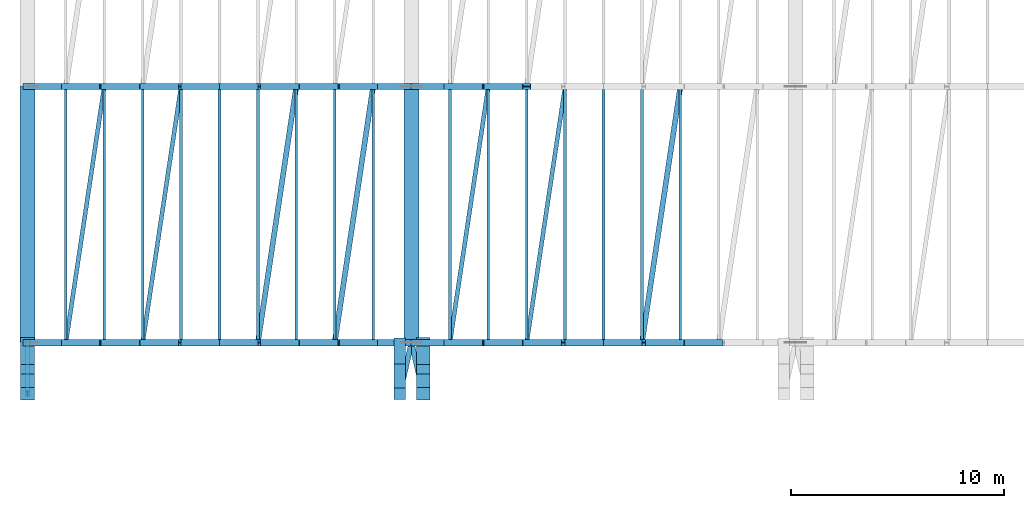
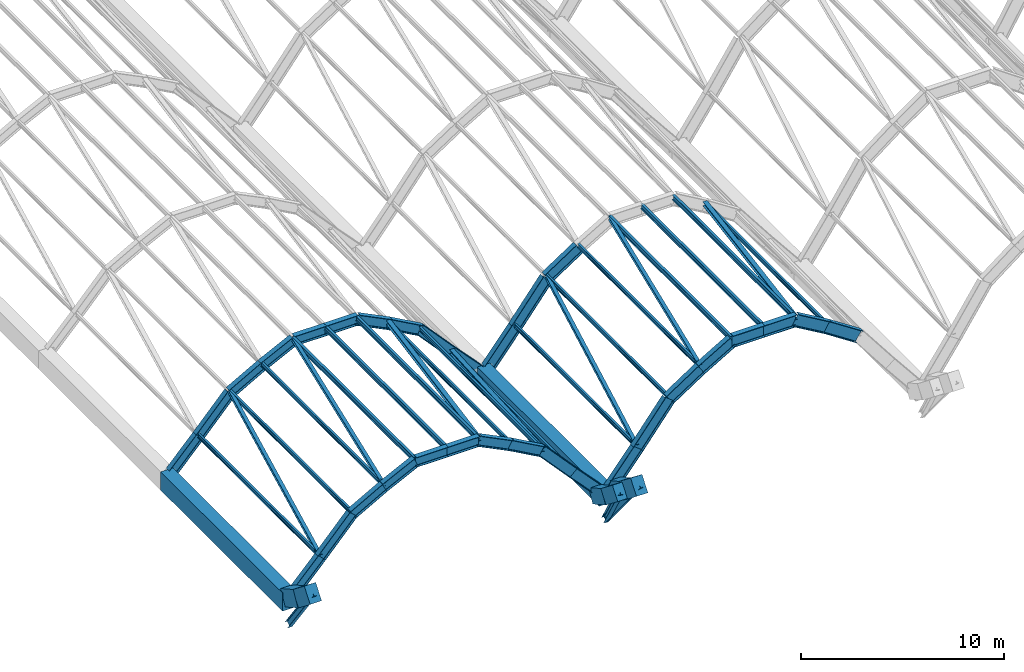
# One storey, part 7 of 86: 39 beams, 26 members.
"""IFC4 building model written with IfcOpenShell, lengths in metres."""

from ifc_helpers import new_model, si_unit, direction, frame, origin, origin_2d, place, context, subcontext, project, spatial, rectangle, i_section, extrude, material, material_profile, profile_set, type_object, element, save


model = new_model("IFC4")

# Units and contexts
model_context = context("Model", 3, precision=1e-05, world=origin(), true_north=direction((0.0, 1.0)))
body_context = subcontext(model_context, "Body", "Model", "MODEL_VIEW")
ifc_project = project(units=[si_unit("LENGTHUNIT", "METRE"), si_unit("AREAUNIT", "SQUARE_METRE"), si_unit("VOLUMEUNIT", "CUBIC_METRE"), si_unit("PLANEANGLEUNIT", "RADIAN"), si_unit("MASSUNIT", "GRAM", prefix="KILO")], contexts=[model_context])

# Site, building, storey
site_placement = place(None, origin())
site = spatial("IfcSite", under=ifc_project, at=site_placement, CompositionType="ELEMENT")
building_placement = place(site_placement, origin())
building = spatial("IfcBuilding", under=site, at=building_placement, Name="Chuanluo Vaults Station", CompositionType="ELEMENT")
storey_placement = place(building_placement, frame((0.0, 0.0, 14.39990234375)))
storey = spatial("IfcBuildingStorey", under=building, at=storey_placement, Name="L03", CompositionType="ELEMENT", Elevation=14.39990234375)

# Beams
ifc_material_1 = material(Name="Concrete C50", Category="concrete")
ifc_material_profile_1 = material_profile(ifc_material_1, rectangle(XDim=0.64990234375, YDim=0.949951171875, at=origin_2d()))
ifc_profile_set_1 = profile_set([ifc_material_profile_1], Name="Concrete C50")
beam_type_1 = type_object("IfcBeamType", Name="BM-CUSP-RC1", PredefinedType="USERDEFINED", material=ifc_profile_set_1)
beam_1_placement = place(storey_placement, frame((0.0, 18.0, -0.5498046875), z_axis=(0.0, -0.872520545396, 0.488577422588), x_axis=(1.0, 0.0, 0.0)))
element("IfcBeam", 1, at=beam_1_placement, inside=storey, type_object=beam_type_1, Name="Vault V1 upturned cusp rib S-W chord 1", ObjectType="GIRDER", PredefinedType="USERDEFINED", context=body_context, shape_type="SweptSolid", body=[
    extrude(rectangle(XDim=0.64990234375, YDim=0.949951171875, at=origin_2d()), origin(), (0.0, 0.0, 1.0), 1.4326171875),
])
beam_2_placement = place(storey_placement, frame((0.0, 16.75, 0.150146484375), z_axis=(0.0, -0.787512057463, 0.61629924497), x_axis=(1.0, 0.0, 0.0)))
element("IfcBeam", 2, at=beam_2_placement, inside=storey, type_object=beam_type_1, Name="Vault V1 upturned cusp rib S-W chord 2", ObjectType="GIRDER", PredefinedType="USERDEFINED", context=body_context, shape_type="SweptSolid", body=[
    extrude(rectangle(XDim=0.64990234375, YDim=0.949951171875, at=origin_2d()), origin(), (0.0, 0.0, 1.0), 1.460205078125),
])
beam_3_placement = place(storey_placement, frame((18.550048828125, 18.0, -0.5498046875), z_axis=(0.0, -0.872520545396, 0.488577422588), x_axis=(1.0, 0.0, 0.0)))
element("IfcBeam", 3, at=beam_3_placement, inside=storey, type_object=beam_type_1, Name="Vault V2 upturned cusp rib S-W chord 1", ObjectType="GIRDER", PredefinedType="USERDEFINED", context=body_context, shape_type="SweptSolid", body=[
    extrude(rectangle(XDim=0.64990234375, YDim=0.949951171875, at=origin_2d()), origin(), (0.0, 0.0, 1.0), 1.4326171875),
])
beam_4_placement = place(storey_placement, frame((18.550048828125, 16.75, 0.150146484375), z_axis=(0.0, -0.787512057463, 0.61629924497), x_axis=(1.0, 0.0, 0.0)))
element("IfcBeam", 4, at=beam_4_placement, inside=storey, type_object=beam_type_1, Name="Vault V2 upturned cusp rib S-W chord 2", ObjectType="GIRDER", PredefinedType="USERDEFINED", context=body_context, shape_type="SweptSolid", body=[
    extrude(rectangle(XDim=0.64990234375, YDim=0.949951171875, at=origin_2d()), origin(), (0.0, 0.0, 1.0), 1.460205078125),
])
ifc_material_2 = material(Name="Concrete C50", Category="concrete")
ifc_material_profile_2 = material_profile(ifc_material_2, rectangle(XDim=0.550048828125, YDim=0.85009765625, at=origin_2d()))
ifc_profile_set_2 = profile_set([ifc_material_profile_2], Name="Concrete C50")
beam_type_2 = type_object("IfcBeamType", Name="BM-CUSP-RC2", PredefinedType="USERDEFINED", material=ifc_profile_set_2)
beam_5_placement = place(storey_placement, frame((17.449951171875, 18.0, -0.5498046875), z_axis=(0.0, -0.872520545396, 0.488577422588), x_axis=(1.0, 0.0, 0.0)))
element("IfcBeam", 5, at=beam_5_placement, inside=storey, type_object=beam_type_2, Name="Vault V1 upturned cusp rib S-E chord 1", ObjectType="GIRDER", PredefinedType="USERDEFINED", context=body_context, shape_type="SweptSolid", body=[
    extrude(rectangle(XDim=0.550048828125, YDim=0.85009765625, at=origin_2d()), origin(), (0.0, 0.0, 1.0), 1.4326171875),
])
beam_6_placement = place(storey_placement, frame((17.449951171875, 16.75, 0.150146484375), z_axis=(0.0, -0.787512057463, 0.61629924497), x_axis=(1.0, 0.0, 0.0)))
element("IfcBeam", 6, at=beam_6_placement, inside=storey, type_object=beam_type_2, Name="Vault V1 upturned cusp rib S-E chord 2", ObjectType="GIRDER", PredefinedType="USERDEFINED", context=body_context, shape_type="SweptSolid", body=[
    extrude(rectangle(XDim=0.550048828125, YDim=0.85009765625, at=origin_2d()), origin(), (0.0, 0.0, 1.0), 1.460205078125),
])
ifc_material_3 = material(Name="Concrete C50", Category="concrete")
ifc_material_profile_3 = material_profile(ifc_material_3, rectangle(XDim=0.699951171875, YDim=1.10009765625, at=origin_2d()))
ifc_profile_set_3 = profile_set([ifc_material_profile_3], Name="Concrete C50")
beam_type_3 = type_object("IfcBeamType", Name="BM-VAL-RC", PredefinedType="USERDEFINED", material=ifc_profile_set_3)
for number, where, z_axis, x_axis, name in (
    (7, (0.0, 18.0, -0.7998046875), (0.0, 1.0, 0.0), (-1.0, 0.0, 0.0), "Vault springing valley beam X0-1"),
    (8, (18.0, 18.0, -0.7998046875), (0.0, 1.0, 0.0), (-1.0, 0.0, 0.0), "Vault springing valley beam X18-1"),
):
    element("IfcBeam", number, at=place(storey_placement, frame(where, z_axis=z_axis, x_axis=x_axis)), inside=storey, type_object=beam_type_3, Name=name, ObjectType="GIRDER", PredefinedType="USERDEFINED", context=body_context, shape_type="SweptSolid", body=[
        extrude(rectangle(XDim=0.699951171875, YDim=1.10009765625, at=origin_2d()), origin(), (0.0, 0.0, 1.0), 12.0),
    ])
ifc_material_4 = material(Name="Steel Q355C", Category="steel")
ifc_material_profile_4 = material_profile(ifc_material_4, i_section(OverallWidth=0.300048828125, OverallDepth=0.587890625, WebThickness=0.011962890625, FlangeThickness=0.02001953125, FilletRadius=0.02392578125, at=origin_2d()))
ifc_profile_set_4 = profile_set([ifc_material_profile_4], Name="Steel Q355C")
beam_type_4 = type_object("IfcBeamType", Name="BM-VLT-600", PredefinedType="USERDEFINED", material=ifc_profile_set_4)
beam_7_placement = place(storey_placement, frame((0.0, 18.0, -0.743896484375), z_axis=(0.684521510403, 0.0, 0.728992662374), x_axis=(0.0, 1.0, 0.0)))
element("IfcBeam", 9, at=beam_7_placement, inside=storey, type_object=beam_type_4, Name="Vault V1 arch rib 1 chord 1", ObjectType="GIRDER", PredefinedType="USERDEFINED", context=body_context, shape_type="SweptSolid", body=[
    extrude(i_section(OverallWidth=0.300048828125, OverallDepth=0.587890625, WebThickness=0.011962890625, FlangeThickness=0.02001953125, FilletRadius=0.02392578125, at=origin_2d()), origin(), (0.0, 0.0, 1.0), 2.629638671875),
])
beam_8_placement = place(storey_placement, frame((1.800048828125, 18.0, 1.173095703125), z_axis=(0.674369120381, 0.0, 0.738394399679), x_axis=(0.0, 1.0, 0.0)))
element("IfcBeam", 10, at=beam_8_placement, inside=storey, type_object=beam_type_4, Name="Vault V1 arch rib 1 chord 2", ObjectType="GIRDER", PredefinedType="USERDEFINED", context=body_context, shape_type="SweptSolid", body=[
    extrude(i_section(OverallWidth=0.300048828125, OverallDepth=0.587890625, WebThickness=0.011962890625, FlangeThickness=0.02001953125, FilletRadius=0.02392578125, at=origin_2d()), origin(), (0.0, 0.0, 1.0), 2.669189453125),
])
beam_9_placement = place(storey_placement, frame((3.60009765625, 18.0, 3.14404296875), z_axis=(0.873681685546, 0.0, 0.486498008569), x_axis=(0.0, 1.0, 0.0)))
element("IfcBeam", 11, at=beam_9_placement, inside=storey, type_object=beam_type_4, Name="Vault V1 arch rib 1 chord 3", ObjectType="GIRDER", PredefinedType="USERDEFINED", context=body_context, shape_type="SweptSolid", body=[
    extrude(i_section(OverallWidth=0.300048828125, OverallDepth=0.587890625, WebThickness=0.011962890625, FlangeThickness=0.02001953125, FilletRadius=0.02392578125, at=origin_2d()), origin(), (0.0, 0.0, 1.0), 2.06005859375),
])
beam_10_placement = place(storey_placement, frame((5.39990234375, 18.0, 4.146240234375), z_axis=(0.896436371213, 0.0, 0.443172463457), x_axis=(0.0, 1.0, 0.0)))
element("IfcBeam", 12, at=beam_10_placement, inside=storey, type_object=beam_type_4, Name="Vault V1 arch rib 1 chord 4", ObjectType="GIRDER", PredefinedType="USERDEFINED", context=body_context, shape_type="SweptSolid", body=[
    extrude(i_section(OverallWidth=0.300048828125, OverallDepth=0.587890625, WebThickness=0.011962890625, FlangeThickness=0.02001953125, FilletRadius=0.02392578125, at=origin_2d()), origin(), (0.0, 0.0, 1.0), 2.008056640625),
])
for number, where, z_axis, x_axis, name in (
    (13, (7.199951171875, 18.0, 5.0361328125), (1.0, 0.0, 0.0), (0.0, 1.0, 0.0), "Vault V1 arch rib 1 chord 5"),
    (14, (9.0, 18.0, 5.0361328125), (1.0, 0.0, 0.0), (0.0, 1.0, 0.0), "Vault V1 arch rib 1 chord 6"),
):
    element("IfcBeam", number, at=place(storey_placement, frame(where, z_axis=z_axis, x_axis=x_axis)), inside=storey, type_object=beam_type_4, Name=name, ObjectType="GIRDER", PredefinedType="USERDEFINED", context=body_context, shape_type="SweptSolid", body=[
        extrude(i_section(OverallWidth=0.300048828125, OverallDepth=0.587890625, WebThickness=0.011962890625, FlangeThickness=0.02001953125, FilletRadius=0.02392578125, at=origin_2d()), origin(), (0.0, 0.0, 1.0), 1.800048828125),
    ])
beam_11_placement = place(storey_placement, frame((10.800048828125, 18.0, 5.0361328125), z_axis=(0.896436371213, 0.0, -0.443172463457), x_axis=(0.0, 1.0, 0.0)))
element("IfcBeam", 15, at=beam_11_placement, inside=storey, type_object=beam_type_4, Name="Vault V1 arch rib 1 chord 7", ObjectType="GIRDER", PredefinedType="USERDEFINED", context=body_context, shape_type="SweptSolid", body=[
    extrude(i_section(OverallWidth=0.300048828125, OverallDepth=0.587890625, WebThickness=0.011962890625, FlangeThickness=0.02001953125, FilletRadius=0.02392578125, at=origin_2d()), origin(), (0.0, 0.0, 1.0), 2.008056640625),
])
beam_12_placement = place(storey_placement, frame((12.60009765625, 18.0, 4.146240234375), z_axis=(0.873681685546, 0.0, -0.486498008569), x_axis=(0.0, 1.0, 0.0)))
element("IfcBeam", 16, at=beam_12_placement, inside=storey, type_object=beam_type_4, Name="Vault V1 arch rib 1 chord 8", ObjectType="GIRDER", PredefinedType="USERDEFINED", context=body_context, shape_type="SweptSolid", body=[
    extrude(i_section(OverallWidth=0.300048828125, OverallDepth=0.587890625, WebThickness=0.011962890625, FlangeThickness=0.02001953125, FilletRadius=0.02392578125, at=origin_2d()), origin(), (0.0, 0.0, 1.0), 2.06005859375),
])
beam_13_placement = place(storey_placement, frame((14.39990234375, 18.0, 3.14404296875), z_axis=(0.674369120381, 0.0, -0.738394399679), x_axis=(0.0, 1.0, 0.0)))
element("IfcBeam", 17, at=beam_13_placement, inside=storey, type_object=beam_type_4, Name="Vault V1 arch rib 1 chord 9", ObjectType="GIRDER", PredefinedType="USERDEFINED", context=body_context, shape_type="SweptSolid", body=[
    extrude(i_section(OverallWidth=0.300048828125, OverallDepth=0.587890625, WebThickness=0.011962890625, FlangeThickness=0.02001953125, FilletRadius=0.02392578125, at=origin_2d()), origin(), (0.0, 0.0, 1.0), 2.669189453125),
])
for number, where, z_axis, x_axis, name in (
    (18, (16.199951171875, 18.0, 1.173095703125), (0.684521510403, 0.0, -0.728992662374), (0.0, 1.0, 0.0), "Vault V1 arch rib 1 chord 10"),
    (19, (0.0, 30.0, -0.743896484375), (0.684521510403, 0.0, 0.728992662374), (0.0, 1.0, 0.0), "Vault V1 arch rib 2 chord 1"),
):
    element("IfcBeam", number, at=place(storey_placement, frame(where, z_axis=z_axis, x_axis=x_axis)), inside=storey, type_object=beam_type_4, Name=name, ObjectType="GIRDER", PredefinedType="USERDEFINED", context=body_context, shape_type="SweptSolid", body=[
        extrude(i_section(OverallWidth=0.300048828125, OverallDepth=0.587890625, WebThickness=0.011962890625, FlangeThickness=0.02001953125, FilletRadius=0.02392578125, at=origin_2d()), origin(), (0.0, 0.0, 1.0), 2.629638671875),
    ])
beam_14_placement = place(storey_placement, frame((1.800048828125, 30.0, 1.173095703125), z_axis=(0.674369120381, 0.0, 0.738394399679), x_axis=(0.0, 1.0, 0.0)))
element("IfcBeam", 20, at=beam_14_placement, inside=storey, type_object=beam_type_4, Name="Vault V1 arch rib 2 chord 2", ObjectType="GIRDER", PredefinedType="USERDEFINED", context=body_context, shape_type="SweptSolid", body=[
    extrude(i_section(OverallWidth=0.300048828125, OverallDepth=0.587890625, WebThickness=0.011962890625, FlangeThickness=0.02001953125, FilletRadius=0.02392578125, at=origin_2d()), origin(), (0.0, 0.0, 1.0), 2.669189453125),
])
beam_15_placement = place(storey_placement, frame((3.60009765625, 30.0, 3.14404296875), z_axis=(0.873681685546, 0.0, 0.486498008569), x_axis=(0.0, 1.0, 0.0)))
element("IfcBeam", 21, at=beam_15_placement, inside=storey, type_object=beam_type_4, Name="Vault V1 arch rib 2 chord 3", ObjectType="GIRDER", PredefinedType="USERDEFINED", context=body_context, shape_type="SweptSolid", body=[
    extrude(i_section(OverallWidth=0.300048828125, OverallDepth=0.587890625, WebThickness=0.011962890625, FlangeThickness=0.02001953125, FilletRadius=0.02392578125, at=origin_2d()), origin(), (0.0, 0.0, 1.0), 2.06005859375),
])
beam_16_placement = place(storey_placement, frame((5.39990234375, 30.0, 4.146240234375), z_axis=(0.896436371213, 0.0, 0.443172463457), x_axis=(0.0, 1.0, 0.0)))
element("IfcBeam", 22, at=beam_16_placement, inside=storey, type_object=beam_type_4, Name="Vault V1 arch rib 2 chord 4", ObjectType="GIRDER", PredefinedType="USERDEFINED", context=body_context, shape_type="SweptSolid", body=[
    extrude(i_section(OverallWidth=0.300048828125, OverallDepth=0.587890625, WebThickness=0.011962890625, FlangeThickness=0.02001953125, FilletRadius=0.02392578125, at=origin_2d()), origin(), (0.0, 0.0, 1.0), 2.008056640625),
])
for number, where, z_axis, x_axis, name in (
    (23, (7.199951171875, 30.0, 5.0361328125), (1.0, 0.0, 0.0), (0.0, 1.0, 0.0), "Vault V1 arch rib 2 chord 5"),
    (24, (9.0, 30.0, 5.0361328125), (1.0, 0.0, 0.0), (0.0, 1.0, 0.0), "Vault V1 arch rib 2 chord 6"),
):
    element("IfcBeam", number, at=place(storey_placement, frame(where, z_axis=z_axis, x_axis=x_axis)), inside=storey, type_object=beam_type_4, Name=name, ObjectType="GIRDER", PredefinedType="USERDEFINED", context=body_context, shape_type="SweptSolid", body=[
        extrude(i_section(OverallWidth=0.300048828125, OverallDepth=0.587890625, WebThickness=0.011962890625, FlangeThickness=0.02001953125, FilletRadius=0.02392578125, at=origin_2d()), origin(), (0.0, 0.0, 1.0), 1.800048828125),
    ])
beam_17_placement = place(storey_placement, frame((10.800048828125, 30.0, 5.0361328125), z_axis=(0.896436371213, 0.0, -0.443172463457), x_axis=(0.0, 1.0, 0.0)))
element("IfcBeam", 25, at=beam_17_placement, inside=storey, type_object=beam_type_4, Name="Vault V1 arch rib 2 chord 7", ObjectType="GIRDER", PredefinedType="USERDEFINED", context=body_context, shape_type="SweptSolid", body=[
    extrude(i_section(OverallWidth=0.300048828125, OverallDepth=0.587890625, WebThickness=0.011962890625, FlangeThickness=0.02001953125, FilletRadius=0.02392578125, at=origin_2d()), origin(), (0.0, 0.0, 1.0), 2.008056640625),
])
beam_18_placement = place(storey_placement, frame((12.60009765625, 30.0, 4.146240234375), z_axis=(0.873681685546, 0.0, -0.486498008569), x_axis=(0.0, 1.0, 0.0)))
element("IfcBeam", 26, at=beam_18_placement, inside=storey, type_object=beam_type_4, Name="Vault V1 arch rib 2 chord 8", ObjectType="GIRDER", PredefinedType="USERDEFINED", context=body_context, shape_type="SweptSolid", body=[
    extrude(i_section(OverallWidth=0.300048828125, OverallDepth=0.587890625, WebThickness=0.011962890625, FlangeThickness=0.02001953125, FilletRadius=0.02392578125, at=origin_2d()), origin(), (0.0, 0.0, 1.0), 2.06005859375),
])
beam_19_placement = place(storey_placement, frame((14.39990234375, 30.0, 3.14404296875), z_axis=(0.674369120381, 0.0, -0.738394399679), x_axis=(0.0, 1.0, 0.0)))
element("IfcBeam", 27, at=beam_19_placement, inside=storey, type_object=beam_type_4, Name="Vault V1 arch rib 2 chord 9", ObjectType="GIRDER", PredefinedType="USERDEFINED", context=body_context, shape_type="SweptSolid", body=[
    extrude(i_section(OverallWidth=0.300048828125, OverallDepth=0.587890625, WebThickness=0.011962890625, FlangeThickness=0.02001953125, FilletRadius=0.02392578125, at=origin_2d()), origin(), (0.0, 0.0, 1.0), 2.669189453125),
])
beam_20_placement = place(storey_placement, frame((16.199951171875, 30.0, 1.173095703125), z_axis=(0.684521510403, 0.0, -0.728992662374), x_axis=(0.0, 1.0, 0.0)))
element("IfcBeam", 28, at=beam_20_placement, inside=storey, type_object=beam_type_4, Name="Vault V1 arch rib 2 chord 10", ObjectType="GIRDER", PredefinedType="USERDEFINED", context=body_context, shape_type="SweptSolid", body=[
    extrude(i_section(OverallWidth=0.300048828125, OverallDepth=0.587890625, WebThickness=0.011962890625, FlangeThickness=0.02001953125, FilletRadius=0.02392578125, at=origin_2d()), origin(), (0.0, 0.0, 1.0), 2.629638671875),
])
ifc_material_5 = material(Name="Steel Q355C", Category="steel")
ifc_material_profile_5 = material_profile(ifc_material_5, i_section(OverallWidth=0.300048828125, OverallDepth=0.699951171875, WebThickness=0.012939453125, FlangeThickness=0.02392578125, FilletRadius=0.02392578125, at=origin_2d()))
ifc_profile_set_5 = profile_set([ifc_material_profile_5], Name="Steel Q355C")
beam_type_5 = type_object("IfcBeamType", Name="BM-VLT-700", PredefinedType="USERDEFINED", material=ifc_profile_set_5)
beam_21_placement = place(storey_placement, frame((18.0, 18.0, -0.7998046875), z_axis=(0.628190338877, 0.0, 0.778059700885), x_axis=(0.0, 1.0, 0.0)))
element("IfcBeam", 29, at=beam_21_placement, inside=storey, type_object=beam_type_5, Name="Vault V2 arch rib 1 chord 1", ObjectType="GIRDER", PredefinedType="USERDEFINED", context=body_context, shape_type="SweptSolid", body=[
    extrude(i_section(OverallWidth=0.300048828125, OverallDepth=0.699951171875, WebThickness=0.012939453125, FlangeThickness=0.02392578125, FilletRadius=0.02392578125, at=origin_2d()), origin(), (0.0, 0.0, 1.0), 2.865478515625),
])
beam_22_placement = place(storey_placement, frame((19.800048828125, 18.0, 1.4296875), z_axis=(0.613681275736, 0.0, 0.789553856182), x_axis=(0.0, 1.0, 0.0)))
element("IfcBeam", 30, at=beam_22_placement, inside=storey, type_object=beam_type_5, Name="Vault V2 arch rib 1 chord 2", ObjectType="GIRDER", PredefinedType="USERDEFINED", context=body_context, shape_type="SweptSolid", body=[
    extrude(i_section(OverallWidth=0.300048828125, OverallDepth=0.699951171875, WebThickness=0.012939453125, FlangeThickness=0.02392578125, FilletRadius=0.02392578125, at=origin_2d()), origin(), (0.0, 0.0, 1.0), 2.93310546875),
])
beam_23_placement = place(storey_placement, frame((21.60009765625, 18.0, 3.74560546875), z_axis=(0.836145448105, 0.0, 0.54850778446), x_axis=(0.0, 1.0, 0.0)))
element("IfcBeam", 31, at=beam_23_placement, inside=storey, type_object=beam_type_5, Name="Vault V2 arch rib 1 chord 3", ObjectType="GIRDER", PredefinedType="USERDEFINED", context=body_context, shape_type="SweptSolid", body=[
    extrude(i_section(OverallWidth=0.300048828125, OverallDepth=0.699951171875, WebThickness=0.012939453125, FlangeThickness=0.02392578125, FilletRadius=0.02392578125, at=origin_2d()), origin(), (0.0, 0.0, 1.0), 2.152587890625),
])
beam_24_placement = place(storey_placement, frame((23.39990234375, 18.0, 4.92626953125), z_axis=(0.863009490662, 0.0, 0.505187706727), x_axis=(0.0, 1.0, 0.0)))
element("IfcBeam", 32, at=beam_24_placement, inside=storey, type_object=beam_type_5, Name="Vault V2 arch rib 1 chord 4", ObjectType="GIRDER", PredefinedType="USERDEFINED", context=body_context, shape_type="SweptSolid", body=[
    extrude(i_section(OverallWidth=0.300048828125, OverallDepth=0.699951171875, WebThickness=0.012939453125, FlangeThickness=0.02392578125, FilletRadius=0.02392578125, at=origin_2d()), origin(), (0.0, 0.0, 1.0), 2.085693359375),
])
for number, where, z_axis, x_axis, name in (
    (33, (25.199951171875, 18.0, 5.97998046875), (1.0, 0.0, 0.0), (0.0, 1.0, 0.0), "Vault V2 arch rib 1 chord 5"),
    (34, (27.0, 18.0, 5.97998046875), (1.0, 0.0, 0.0), (0.0, 1.0, 0.0), "Vault V2 arch rib 1 chord 6"),
):
    element("IfcBeam", number, at=place(storey_placement, frame(where, z_axis=z_axis, x_axis=x_axis)), inside=storey, type_object=beam_type_5, Name=name, ObjectType="GIRDER", PredefinedType="USERDEFINED", context=body_context, shape_type="SweptSolid", body=[
        extrude(i_section(OverallWidth=0.300048828125, OverallDepth=0.699951171875, WebThickness=0.012939453125, FlangeThickness=0.02392578125, FilletRadius=0.02392578125, at=origin_2d()), origin(), (0.0, 0.0, 1.0), 1.800048828125),
    ])
beam_25_placement = place(storey_placement, frame((28.800048828125, 18.0, 5.97998046875), z_axis=(0.863009490662, 0.0, -0.505187706727), x_axis=(0.0, 1.0, 0.0)))
element("IfcBeam", 35, at=beam_25_placement, inside=storey, type_object=beam_type_5, Name="Vault V2 arch rib 1 chord 7", ObjectType="GIRDER", PredefinedType="USERDEFINED", context=body_context, shape_type="SweptSolid", body=[
    extrude(i_section(OverallWidth=0.300048828125, OverallDepth=0.699951171875, WebThickness=0.012939453125, FlangeThickness=0.02392578125, FilletRadius=0.02392578125, at=origin_2d()), origin(), (0.0, 0.0, 1.0), 2.085693359375),
])
beam_26_placement = place(storey_placement, frame((30.60009765625, 18.0, 4.92626953125), z_axis=(0.836145448105, 0.0, -0.54850778446), x_axis=(0.0, 1.0, 0.0)))
element("IfcBeam", 36, at=beam_26_placement, inside=storey, type_object=beam_type_5, Name="Vault V2 arch rib 1 chord 8", ObjectType="GIRDER", PredefinedType="USERDEFINED", context=body_context, shape_type="SweptSolid", body=[
    extrude(i_section(OverallWidth=0.300048828125, OverallDepth=0.699951171875, WebThickness=0.012939453125, FlangeThickness=0.02392578125, FilletRadius=0.02392578125, at=origin_2d()), origin(), (0.0, 0.0, 1.0), 2.152587890625),
])
beam_27_placement = place(storey_placement, frame((18.0, 30.0, -0.7998046875), z_axis=(0.628190338877, 0.0, 0.778059700885), x_axis=(0.0, 1.0, 0.0)))
element("IfcBeam", 37, at=beam_27_placement, inside=storey, type_object=beam_type_5, Name="Vault V2 arch rib 2 chord 1", ObjectType="GIRDER", PredefinedType="USERDEFINED", context=body_context, shape_type="SweptSolid", body=[
    extrude(i_section(OverallWidth=0.300048828125, OverallDepth=0.699951171875, WebThickness=0.012939453125, FlangeThickness=0.02392578125, FilletRadius=0.02392578125, at=origin_2d()), origin(), (0.0, 0.0, 1.0), 2.865478515625),
])
beam_28_placement = place(storey_placement, frame((19.800048828125, 30.0, 1.4296875), z_axis=(0.613681275736, 0.0, 0.789553856182), x_axis=(0.0, 1.0, 0.0)))
element("IfcBeam", 38, at=beam_28_placement, inside=storey, type_object=beam_type_5, Name="Vault V2 arch rib 2 chord 2", ObjectType="GIRDER", PredefinedType="USERDEFINED", context=body_context, shape_type="SweptSolid", body=[
    extrude(i_section(OverallWidth=0.300048828125, OverallDepth=0.699951171875, WebThickness=0.012939453125, FlangeThickness=0.02392578125, FilletRadius=0.02392578125, at=origin_2d()), origin(), (0.0, 0.0, 1.0), 2.93310546875),
])
beam_29_placement = place(storey_placement, frame((21.60009765625, 30.0, 3.74560546875), z_axis=(0.836145448105, 0.0, 0.54850778446), x_axis=(0.0, 1.0, 0.0)))
element("IfcBeam", 39, at=beam_29_placement, inside=storey, type_object=beam_type_5, Name="Vault V2 arch rib 2 chord 3", ObjectType="GIRDER", PredefinedType="USERDEFINED", context=body_context, shape_type="SweptSolid", body=[
    extrude(i_section(OverallWidth=0.300048828125, OverallDepth=0.699951171875, WebThickness=0.012939453125, FlangeThickness=0.02392578125, FilletRadius=0.02392578125, at=origin_2d()), origin(), (0.0, 0.0, 1.0), 2.152587890625),
])

# Members
ifc_material_6 = material(Name="Steel Q355C", Category="steel")
ifc_material_profile_6 = material_profile(ifc_material_6, i_section(OverallWidth=0.25, OverallDepth=0.340087890625, WebThickness=0.009033203125, FlangeThickness=0.013916015625, FilletRadius=0.01611328125, at=origin_2d()))
ifc_profile_set_6 = profile_set([ifc_material_profile_6], Name="Steel Q355C")
member_type_1 = type_object("IfcMemberType", Name="MEM-CBR-340", PredefinedType="BRACE", material=ifc_profile_set_6)
member_1_placement = place(storey_placement, frame((0.0, 18.0, -2.25), z_axis=(0.0, -0.588150351935, 0.808751608047), x_axis=(1.0, 0.0, 0.0)))
element("IfcMember", 40, at=member_1_placement, inside=storey, type_object=member_type_1, Name="Upturned eave cusp raking prop S-X0", PredefinedType="BRACE", context=body_context, shape_type="SweptSolid", body=[
    extrude(i_section(OverallWidth=0.25, OverallDepth=0.340087890625, WebThickness=0.009033203125, FlangeThickness=0.013916015625, FilletRadius=0.01611328125, at=origin_2d()), origin(), (0.0, 0.0, 1.0), 4.080322265625),
])
for number, where, z_axis, x_axis, name in (
    (41, (18.0, 18.0, -2.25), (-0.133593569942, -0.582878292291, 0.801502123794), (0.974726021078, -0.223403634333, 0.0), "Upturned eave cusp raking prop S-X18-W"),
    (42, (18.0, 18.0, -2.25), (0.133593569942, -0.582878292291, 0.801502123794), (0.974726021078, 0.223403634333, 0.0), "Upturned eave cusp raking prop S-X18-E"),
):
    element("IfcMember", number, at=place(storey_placement, frame(where, z_axis=z_axis, x_axis=x_axis)), inside=storey, type_object=member_type_1, Name=name, PredefinedType="BRACE", context=body_context, shape_type="SweptSolid", body=[
        extrude(i_section(OverallWidth=0.25, OverallDepth=0.340087890625, WebThickness=0.009033203125, FlangeThickness=0.013916015625, FilletRadius=0.01611328125, at=origin_2d()), origin(), (0.0, 0.0, 1.0), 4.117431640625),
    ])
ifc_material_7 = material(Name="Steel Q355C", Category="steel")
ifc_material_profile_7 = material_profile(ifc_material_7, i_section(OverallWidth=0.125, OverallDepth=0.25, WebThickness=0.006103515625, FlangeThickness=0.009033203125, FilletRadius=0.011962890625, at=origin_2d()))
ifc_profile_set_7 = profile_set([ifc_material_profile_7], Name="Steel Q355C")
member_type_2 = type_object("IfcMemberType", Name="MEM-PUR-250", PredefinedType="PURLIN", material=ifc_profile_set_7)
for number, where, z_axis, x_axis, name in (
    (43, (1.800048828125, 18.0, 1.213134765625), (0.0, 1.0, 0.0), (-1.0, 0.0, 0.0), "Vault V1 purlin 1.1"),
    (44, (3.60009765625, 18.0, 3.206787109375), (0.0, 1.0, 0.0), (-1.0, 0.0, 0.0), "Vault V1 purlin 1.2"),
    (45, (5.39990234375, 18.0, 4.23779296875), (0.0, 1.0, 0.0), (-1.0, 0.0, 0.0), "Vault V1 purlin 1.3"),
    (46, (12.60009765625, 18.0, 4.23779296875), (0.0, 1.0, 0.0), (-1.0, 0.0, 0.0), "Vault V1 purlin 1.7"),
    (47, (14.39990234375, 18.0, 3.206787109375), (0.0, 1.0, 0.0), (-1.0, 0.0, 0.0), "Vault V1 purlin 1.8"),
    (48, (16.199951171875, 18.0, 1.213134765625), (0.0, 1.0, 0.0), (-1.0, 0.0, 0.0), "Vault V1 purlin 1.9"),
    (49, (19.800048828125, 18.0, 1.5126953125), (0.0, 1.0, 0.0), (-1.0, 0.0, 0.0), "Vault V2 purlin 1.1"),
    (50, (21.60009765625, 18.0, 3.849853515625), (0.0, 1.0, 0.0), (-1.0, 0.0, 0.0), "Vault V2 purlin 1.2"),
    (51, (23.39990234375, 18.0, 5.068115234375), (0.0, 1.0, 0.0), (-1.0, 0.0, 0.0), "Vault V2 purlin 1.3"),
    (52, (30.60009765625, 18.0, 5.068115234375), (0.0, 1.0, 0.0), (-1.0, 0.0, 0.0), "Vault V2 purlin 1.7"),
):
    element("IfcMember", number, at=place(storey_placement, frame(where, z_axis=z_axis, x_axis=x_axis)), inside=storey, type_object=member_type_2, Name=name, PredefinedType="PURLIN", context=body_context, shape_type="SweptSolid", body=[
        extrude(i_section(OverallWidth=0.125, OverallDepth=0.25, WebThickness=0.006103515625, FlangeThickness=0.009033203125, FilletRadius=0.011962890625, at=origin_2d()), origin(), (0.0, 0.0, 1.0), 12.0),
    ])
ifc_material_8 = material(Name="Steel Q355C", Category="steel")
ifc_material_profile_8 = material_profile(ifc_material_8, i_section(OverallWidth=0.14990234375, OverallDepth=0.300048828125, WebThickness=0.006591796875, FlangeThickness=0.009033203125, FilletRadius=0.012939453125, at=origin_2d()))
ifc_profile_set_8 = profile_set([ifc_material_profile_8], Name="Steel Q355C")
member_type_3 = type_object("IfcMemberType", Name="MEM-PUR-300", PredefinedType="PURLIN", material=ifc_profile_set_8)
for number, where, z_axis, x_axis, name in (
    (53, (7.199951171875, 18.0, 5.102294921875), (0.0, 1.0, 0.0), (-1.0, 0.0, 0.0), "Vault V1 purlin 1.4"),
    (54, (9.0, 18.0, 5.172119140625), (0.0, 1.0, 0.0), (-1.0, 0.0, 0.0), "Vault V1 purlin 1.5"),
    (55, (10.800048828125, 18.0, 5.102294921875), (0.0, 1.0, 0.0), (-1.0, 0.0, 0.0), "Vault V1 purlin 1.6"),
    (56, (25.199951171875, 18.0, 6.085693359375), (0.0, 1.0, 0.0), (-1.0, 0.0, 0.0), "Vault V2 purlin 1.4"),
    (57, (27.0, 18.0, 6.172119140625), (0.0, 1.0, 0.0), (-1.0, 0.0, 0.0), "Vault V2 purlin 1.5"),
    (58, (28.800048828125, 18.0, 6.085693359375), (0.0, 1.0, 0.0), (-1.0, 0.0, 0.0), "Vault V2 purlin 1.6"),
):
    element("IfcMember", number, at=place(storey_placement, frame(where, z_axis=z_axis, x_axis=x_axis)), inside=storey, type_object=member_type_3, Name=name, PredefinedType="PURLIN", context=body_context, shape_type="SweptSolid", body=[
        extrude(i_section(OverallWidth=0.14990234375, OverallDepth=0.300048828125, WebThickness=0.006591796875, FlangeThickness=0.009033203125, FilletRadius=0.012939453125, at=origin_2d()), origin(), (0.0, 0.0, 1.0), 12.0),
    ])
ifc_material_9 = material(Name="Steel Q355C", Category="steel")
ifc_material_profile_9 = material_profile(ifc_material_9, i_section(OverallWidth=0.199951171875, OverallDepth=0.199951171875, WebThickness=0.008056640625, FlangeThickness=0.011962890625, FilletRadius=0.012939453125, at=origin_2d()))
ifc_profile_set_9 = profile_set([ifc_material_profile_9], Name="Steel Q355C")
member_type_4 = type_object("IfcMemberType", Name="MEM-VBR-200", PredefinedType="BRACE", material=ifc_profile_set_9)
member_2_placement = place(storey_placement, frame((1.800048828125, 18.0, 1.213134765625), z_axis=(0.146381805557, 0.975852232025, 0.162125840794), x_axis=(-0.988935762544, 0.148344388372, 0.0)))
element("IfcMember", 59, at=member_2_placement, inside=storey, type_object=member_type_4, Name="Vault V1 space-frame diagonal 1.1", PredefinedType="BRACE", context=body_context, shape_type="SweptSolid", body=[
    extrude(i_section(OverallWidth=0.199951171875, OverallDepth=0.199951171875, WebThickness=0.008056640625, FlangeThickness=0.011962890625, FilletRadius=0.012939453125, at=origin_2d()), origin(), (0.0, 0.0, 1.0), 12.296875),
])
member_3_placement = place(storey_placement, frame((5.39990234375, 18.0, 4.23779296875), z_axis=(0.147969331357, 0.986435450271, 0.071064614449), x_axis=(-0.988935762544, 0.148344388372, 0.0)))
element("IfcMember", 60, at=member_3_placement, inside=storey, type_object=member_type_4, Name="Vault V1 space-frame diagonal 1.3", PredefinedType="BRACE", context=body_context, shape_type="SweptSolid", body=[
    extrude(i_section(OverallWidth=0.199951171875, OverallDepth=0.199951171875, WebThickness=0.008056640625, FlangeThickness=0.011962890625, FilletRadius=0.012939453125, at=origin_2d()), origin(), (0.0, 0.0, 1.0), 12.1650390625),
])
member_4_placement = place(storey_placement, frame((19.800048828125, 18.0, 1.5126953125), z_axis=(0.145667019671, 0.971087122046, 0.189132019437), x_axis=(-0.988935762544, 0.148344388372, 0.0)))
element("IfcMember", 61, at=member_4_placement, inside=storey, type_object=member_type_4, Name="Vault V2 space-frame diagonal 1.1", PredefinedType="BRACE", context=body_context, shape_type="SweptSolid", body=[
    extrude(i_section(OverallWidth=0.199951171875, OverallDepth=0.199951171875, WebThickness=0.008056640625, FlangeThickness=0.011962890625, FilletRadius=0.012939453125, at=origin_2d()), origin(), (0.0, 0.0, 1.0), 12.357177734375),
])
member_5_placement = place(storey_placement, frame((23.39990234375, 18.0, 5.068115234375), z_axis=(0.147825508235, 0.985476655471, 0.083566623942), x_axis=(-0.988935762544, 0.148344388372, 0.0)))
element("IfcMember", 62, at=member_5_placement, inside=storey, type_object=member_type_4, Name="Vault V2 space-frame diagonal 1.3", PredefinedType="BRACE", context=body_context, shape_type="SweptSolid", body=[
    extrude(i_section(OverallWidth=0.199951171875, OverallDepth=0.199951171875, WebThickness=0.008056640625, FlangeThickness=0.011962890625, FilletRadius=0.012939453125, at=origin_2d()), origin(), (0.0, 0.0, 1.0), 12.1767578125),
])
ifc_material_10 = material(Name="Steel Q355C", Category="steel")
ifc_material_profile_10 = material_profile(ifc_material_10, i_section(OverallWidth=0.25, OverallDepth=0.25, WebThickness=0.009033203125, FlangeThickness=0.013916015625, FilletRadius=0.01611328125, at=origin_2d()))
ifc_profile_set_10 = profile_set([ifc_material_profile_10], Name="Steel Q355C")
member_type_5 = type_object("IfcMemberType", Name="MEM-VBR-250", PredefinedType="BRACE", material=ifc_profile_set_10)
member_6_placement = place(storey_placement, frame((10.800048828125, 18.0, 5.102294921875), z_axis=(0.147969331357, 0.986435450271, -0.071064614449), x_axis=(-0.988935762544, 0.148344388372, 0.0)))
element("IfcMember", 63, at=member_6_placement, inside=storey, type_object=member_type_5, Name="Vault V1 space-frame diagonal 1.6", PredefinedType="BRACE", context=body_context, shape_type="SweptSolid", body=[
    extrude(i_section(OverallWidth=0.25, OverallDepth=0.25, WebThickness=0.009033203125, FlangeThickness=0.013916015625, FilletRadius=0.01611328125, at=origin_2d()), origin(), (0.0, 0.0, 1.0), 12.1650390625),
])
member_7_placement = place(storey_placement, frame((14.39990234375, 18.0, 3.206787109375), z_axis=(0.146381805557, 0.975852232025, -0.162125840794), x_axis=(-0.988935762544, 0.148344388372, 0.0)))
element("IfcMember", 64, at=member_7_placement, inside=storey, type_object=member_type_5, Name="Vault V1 space-frame diagonal 1.8", PredefinedType="BRACE", context=body_context, shape_type="SweptSolid", body=[
    extrude(i_section(OverallWidth=0.25, OverallDepth=0.25, WebThickness=0.009033203125, FlangeThickness=0.013916015625, FilletRadius=0.01611328125, at=origin_2d()), origin(), (0.0, 0.0, 1.0), 12.296875),
])
member_8_placement = place(storey_placement, frame((28.800048828125, 18.0, 6.085693359375), z_axis=(0.147825508235, 0.985476655471, -0.083566623942), x_axis=(-0.988935762544, 0.148344388372, 0.0)))
element("IfcMember", 65, at=member_8_placement, inside=storey, type_object=member_type_5, Name="Vault V2 space-frame diagonal 1.6", PredefinedType="BRACE", context=body_context, shape_type="SweptSolid", body=[
    extrude(i_section(OverallWidth=0.25, OverallDepth=0.25, WebThickness=0.009033203125, FlangeThickness=0.013916015625, FilletRadius=0.01611328125, at=origin_2d()), origin(), (0.0, 0.0, 1.0), 12.1767578125),
])

save(model, "model.ifc")
